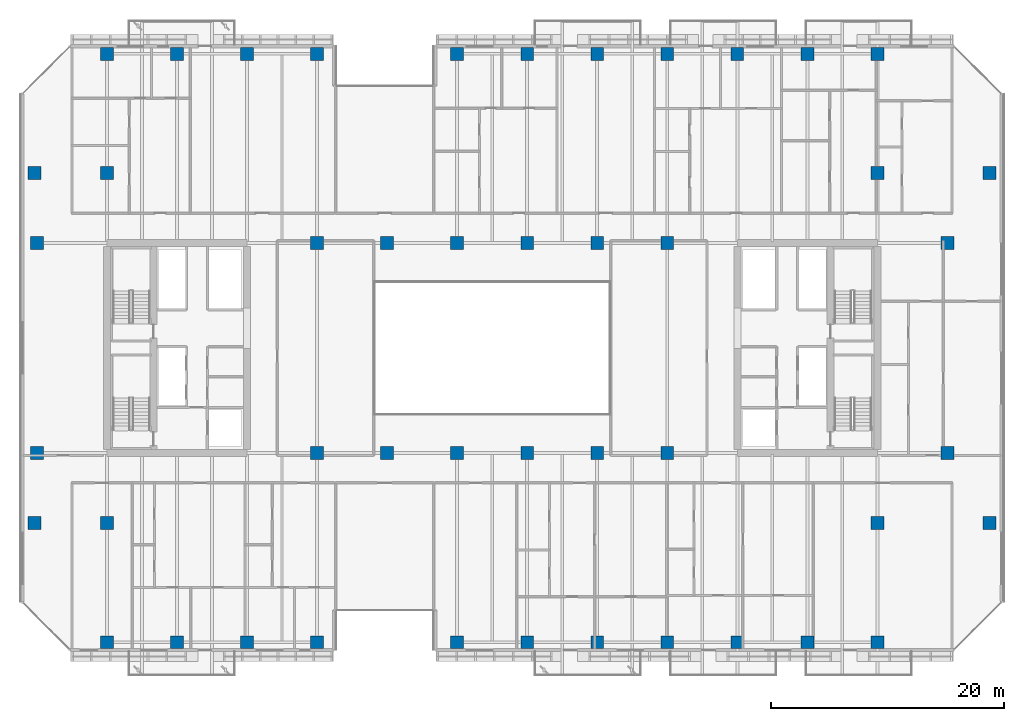
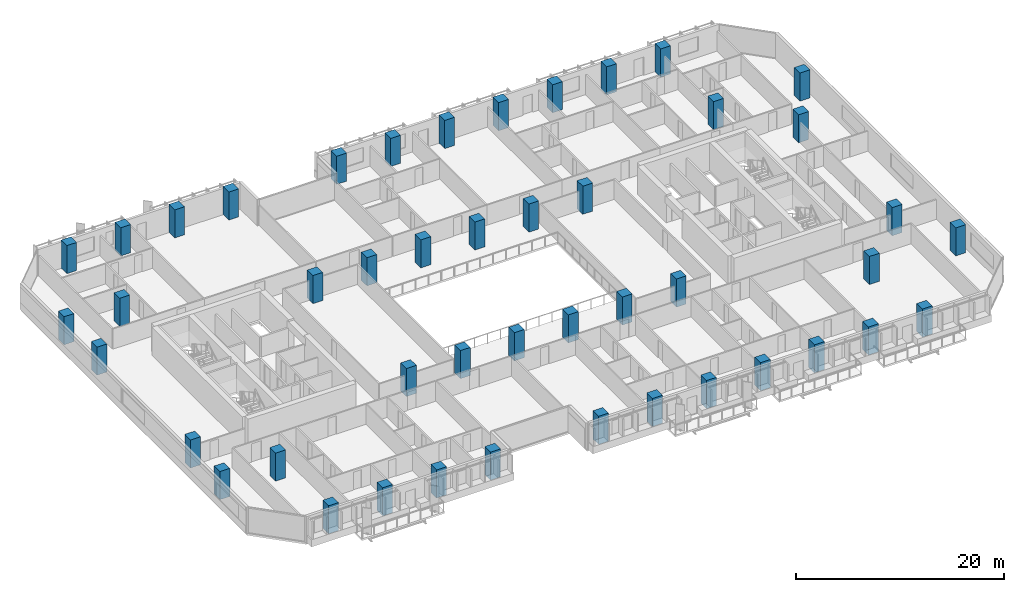
# One storey, part 1 of 34: 46 columns.
"""IFC4 building model written with IfcOpenShell, lengths in metres."""

import ifcopenshell
import ifcopenshell.guid

model = None  # the IFC model being written
_history = None  # IfcOwnerHistory: only IFC2X3 demands one
_inside = {}  # id of a spatial element -> (the spatial element, [elements in it])
_under = {}  # id of a project, library or spatial element -> (it, [spatial elements below it])
_declared = {}  # id of a project -> (the project, [libraries it declares])
_typed = {}  # id of a type object -> (the type object, [elements of that type])
_made_of = {}  # id of a material, layer set ... -> (it, [elements and type objects made of it])


def new_model(schema):
    """Start an empty IFC model of exactly this schema.

    Asked for "IFC4X3", IfcOpenShell would pick the latest addendum, in which some entities
    have other attributes; the version numbers below select the first issue.
    IFC2X3 requires an IfcOwnerHistory on every rooted entity: one is made here for all.
    """
    global model, _history
    if schema == "IFC4X3":
        model = ifcopenshell.file(schema_version=(4, 3, 0, 0))
    else:
        model = ifcopenshell.file(schema=schema)
    _inside.clear()
    _under.clear()
    _declared.clear()
    _typed.clear()
    _made_of.clear()
    _history = None
    if model.schema == "IFC2X3":
        org = make("IfcOrganization", Name="unknown")
        user = make(
            "IfcPersonAndOrganization",
            ThePerson=make("IfcPerson", FamilyName="unknown"),
            TheOrganization=org,
        )
        app = make(
            "IfcApplication",
            ApplicationDeveloper=org,
            Version="unknown",
            ApplicationFullName="unknown",
            ApplicationIdentifier="unknown",
        )
        _history = make(
            "IfcOwnerHistory",
            OwningUser=user,
            OwningApplication=app,
            ChangeAction="ADDED",
            CreationDate=0,
        )
    return model


def make(cls, **values):
    """One entity of the class cls with the attributes given. An attribute that is None is left unset."""
    return model.create_entity(
        cls, **{name: value for name, value in values.items() if value is not None}
    )


def rooted(cls, **values):
    """An entity with a GlobalId (a new one), such as an element, a storey or a relation."""
    return make(cls, GlobalId=ifcopenshell.guid.new(), OwnerHistory=_history, **values)


def si_unit(unit_type, name, prefix=None):
    """IfcSIUnit, for example si_unit("LENGTHUNIT", "METRE", prefix="MILLI")."""
    return make("IfcSIUnit", UnitType=unit_type, Prefix=prefix, Name=name)


def assignment(units):
    """IfcUnitAssignment: the units of a project."""
    return None if units is None else make("IfcUnitAssignment", Units=units)


def point(xyz):
    """IfcCartesianPoint."""
    return None if xyz is None else make("IfcCartesianPoint", Coordinates=xyz)


def direction(xyz):
    """IfcDirection."""
    return None if xyz is None else make("IfcDirection", DirectionRatios=xyz)


def frame(location, z_axis=None, x_axis=None):
    """IfcAxis2Placement3D, a coordinate frame: its origin and axes. An axis left out is left unset."""
    return make(
        "IfcAxis2Placement3D",
        Location=point(location),
        Axis=direction(z_axis),
        RefDirection=direction(x_axis),
    )


def frame_2d(location, x_axis=None):
    """IfcAxis2Placement2D, a coordinate frame in the plane: its origin and x axis."""
    return make(
        "IfcAxis2Placement2D", Location=point(location), RefDirection=direction(x_axis)
    )


def origin():
    """The frame at (0, 0, 0) with its axes left unset."""
    return frame((0.0, 0.0, 0.0))


def origin_2d():
    """The frame at (0, 0) in the plane with its x axis left unset."""
    return frame_2d((0.0, 0.0))


def place(relative_to, where):
    """IfcLocalPlacement: puts the frame where relative to a parent placement (None: the world)."""
    return make(
        "IfcLocalPlacement", PlacementRelTo=relative_to, RelativePlacement=where
    )


def context(
    kind, dimensions, precision=None, world=None, true_north=None, identifier=None
):
    """IfcGeometricRepresentationContext, for example the 3D "Model" context."""
    return make(
        "IfcGeometricRepresentationContext",
        ContextIdentifier=identifier,
        ContextType=kind,
        CoordinateSpaceDimension=dimensions,
        Precision=precision,
        WorldCoordinateSystem=world,
        TrueNorth=true_north,
    )


def subcontext(parent, identifier, kind, view, scale=None):
    """IfcGeometricRepresentationSubContext, for example "Body" below "Model"."""
    return make(
        "IfcGeometricRepresentationSubContext",
        ContextIdentifier=identifier,
        ContextType=kind,
        ParentContext=parent,
        TargetScale=scale,
        TargetView=view,
    )


def project(units=None, contexts=None):
    """IfcProject with its units and contexts."""
    return rooted(
        "IfcProject",
        Name="project",
        RepresentationContexts=contexts,
        UnitsInContext=assignment(units),
    )


def spatial(cls, under=None, at=None, **own):
    """A site, building, storey or space (cls), placed at a placement, below another one or the project."""
    s = rooted(cls, ObjectPlacement=at, **own)
    if under is not None:
        _under.setdefault(under.id(), (under, []))[1].append(s)
    return s


def profile(cls, at=None, kind="AREA", **sizes):
    """A parametric profile (cls). Its sizes go by their IFC names, for example OverallWidth=200.0."""
    return make(cls, ProfileType=kind, Position=at, **sizes)


def rectangle(**sizes):
    """IfcRectangleProfileDef."""
    return profile("IfcRectangleProfileDef", **sizes)


def extrude(swept, where, along, depth):
    """IfcExtrudedAreaSolid: the profile swept, set in the frame where, extruded along a direction by depth."""
    return make(
        "IfcExtrudedAreaSolid",
        SweptArea=swept,
        Position=where,
        ExtrudedDirection=direction(along),
        Depth=depth,
    )


def shape(context_of_items, identifier, shape_type, items):
    """IfcShapeRepresentation: the items that make up one representation, for example the "Body"."""
    return make(
        "IfcShapeRepresentation",
        ContextOfItems=context_of_items,
        RepresentationIdentifier=identifier,
        RepresentationType=shape_type,
        Items=items,
    )


def material(Name=None, Category=None):
    """IfcMaterial."""
    return make("IfcMaterial", Name=Name, Category=Category)


def material_profile(
    of_material, cross_section, Name=None, Category=None, Priority=None
):
    """IfcMaterialProfile: a cross section and its material."""
    return make(
        "IfcMaterialProfile",
        Name=Name,
        Material=of_material,
        Profile=cross_section,
        Priority=Priority,
        Category=Category,
    )


def profile_set(profiles, Name=None, composite=None):
    """IfcMaterialProfileSet."""
    return make(
        "IfcMaterialProfileSet",
        Name=Name,
        MaterialProfiles=profiles,
        CompositeProfile=composite,
    )


def made_of(thing, what):
    """Note that an element or type object is made of a material, layer set ...; save() writes the relation."""
    if what is not None:
        _made_of.setdefault(what.id(), (what, []))[1].append(thing)
    return thing


def type_object(cls, material=None, **own):
    """A type object (cls), such as IfcWallType, which elements share."""
    return made_of(rooted(cls, **own), material)


def element(
    cls,
    number,
    at=None,
    inside=None,
    cuts=None,
    type_object=None,
    material=None,
    context=None,
    identifier="Body",
    shape_type=None,
    held_by="IfcProductDefinitionShape",
    body=None,
    shapes=None,
    **own,
):
    """One element of the class cls, such as IfcWall. Its Tag is "e" and its number.

    at: its placement. inside: the storey or other place that contains it. cuts: it is an
    opening in that element (IfcRelVoidsElement). A single representation is given by context,
    identifier, shape_type and body (its items); several are given by shapes. held_by: the class
    of the entity that holds the representations. save() writes the other relations.
    """
    e = rooted(cls, Tag="e%d" % number, ObjectPlacement=at, **own)
    if body is not None:
        shapes = [shape(context, identifier, shape_type, body)]
    if shapes is not None:
        e.Representation = make(held_by, Representations=shapes)
    if inside is not None:
        _inside.setdefault(inside.id(), (inside, []))[1].append(e)
    if cuts is not None:
        rooted(
            "IfcRelVoidsElement", RelatingBuildingElement=cuts, RelatedOpeningElement=e
        )
    if type_object is not None:
        _typed.setdefault(type_object.id(), (type_object, []))[1].append(e)
    return made_of(e, material)


def aggregate(whole, parts):
    """IfcRelAggregates: a whole, such as a stair, and the parts it consists of."""
    return rooted("IfcRelAggregates", RelatingObject=whole, RelatedObjects=parts)


def save(model, path):
    """Write the relations noted so far, then the file.

    IfcRelAggregates (storeys below a building ...), IfcRelContainedInSpatialStructure (elements
    in a storey), IfcRelDefinesByType, IfcRelAssociatesMaterial and IfcRelDeclares: one each for
    every whole, place, type object, material and project.
    """
    for whole, parts in _under.values():
        aggregate(whole, parts)
    for where, things in _inside.values():
        rooted(
            "IfcRelContainedInSpatialStructure",
            RelatedElements=things,
            RelatingStructure=where,
        )
    for kind, things in _typed.values():
        rooted("IfcRelDefinesByType", RelatedObjects=things, RelatingType=kind)
    for what, things in _made_of.values():
        rooted("IfcRelAssociatesMaterial", RelatedObjects=things, RelatingMaterial=what)
    for by, libraries in _declared.values():
        rooted("IfcRelDeclares", RelatingContext=by, RelatedDefinitions=libraries)
    model.write(path)


model = new_model("IFC4")

# Units and contexts
model_context = context("Model", 3, precision=1e-05, world=origin(), true_north=direction((0.0, 1.0)))
body_context = subcontext(model_context, "Body", "Model", "MODEL_VIEW")
ifc_project = project(units=[si_unit("LENGTHUNIT", "METRE"), si_unit("AREAUNIT", "SQUARE_METRE"), si_unit("VOLUMEUNIT", "CUBIC_METRE"), si_unit("PLANEANGLEUNIT", "RADIAN"), si_unit("MASSUNIT", "GRAM", prefix="KILO")], contexts=[model_context])

# Site, building, storey
site_placement = place(None, origin())
site = spatial("IfcSite", under=ifc_project, at=site_placement, CompositionType="ELEMENT")
building_placement = place(site_placement, origin())
building = spatial("IfcBuilding", under=site, at=building_placement, Name="Tanjung Sevakor Pilgrim Tower", CompositionType="ELEMENT")
storey_placement = place(building_placement, frame((0.0, 0.0, 55.43994140625)))
storey = spatial("IfcBuildingStorey", under=building, at=storey_placement, Name="L15", CompositionType="ELEMENT", Elevation=55.43994140625)

# Columns
ifc_material = material(Name="Concrete C60/75", Category="concrete")
ifc_material_profile = material_profile(ifc_material, rectangle(XDim=1.10009765625, YDim=1.10009765625, at=origin_2d()))
ifc_profile_set = profile_set([ifc_material_profile], Name="Concrete C60/75")
column_type = type_object("IfcColumnType", Name="COL-C-T1100-RC_1100x1100", PredefinedType="COLUMN", material=ifc_profile_set)
for number, where, z_axis, x_axis, name in (
    (1, (18.0, 24.60009765625, 0.0), (0.0, 0.0, 1.0), (1.0, 0.0, 0.0), "L15 Column SPW-018-246"),
    (2, (18.0, 42.60009765625, 0.0), (0.0, 0.0, 1.0), (1.0, 0.0, 0.0), "L15 Column SPW-018-426"),
    (3, (42.0, 24.60009765625, 0.0), (0.0, 0.0, 1.0), (1.0, 0.0, 0.0), "L15 Column SPW-042-246"),
    (4, (42.0, 42.60009765625, 0.0), (0.0, 0.0, 1.0), (1.0, 0.0, 0.0), "L15 Column SPW-042-426"),
    (5, (48.0, 24.60009765625, 0.0), (0.0, 0.0, 1.0), (1.0, 0.0, 0.0), "L15 Column SPW-048-246"),
    (6, (48.0, 42.60009765625, 0.0), (0.0, 0.0, 1.0), (1.0, 0.0, 0.0), "L15 Column SPW-048-426"),
    (7, (54.0, 24.60009765625, 0.0), (0.0, 0.0, 1.0), (1.0, 0.0, 0.0), "L15 Column SPE-054-246"),
    (8, (54.0, 42.60009765625, 0.0), (0.0, 0.0, 1.0), (1.0, 0.0, 0.0), "L15 Column SPE-054-426"),
    (9, (60.0, 24.60009765625, 0.0), (0.0, 0.0, 1.0), (1.0, 0.0, 0.0), "L15 Column SPE-060-246"),
    (10, (60.0, 42.60009765625, 0.0), (0.0, 0.0, 1.0), (1.0, 0.0, 0.0), "L15 Column SPE-060-426"),
    (11, (66.0, 24.60009765625, 0.0), (0.0, 0.0, 1.0), (1.0, 0.0, 0.0), "L15 Column SPE-066-246"),
    (12, (66.0, 42.60009765625, 0.0), (0.0, 0.0, 1.0), (1.0, 0.0, 0.0), "L15 Column SPE-066-426"),
    (13, (72.0, 24.60009765625, 0.0), (0.0, 0.0, 1.0), (1.0, 0.0, 0.0), "L15 Column SPE-072-246"),
    (14, (72.0, 42.60009765625, 0.0), (0.0, 0.0, 1.0), (1.0, 0.0, 0.0), "L15 Column SPE-072-426"),
    (15, (96.0, 24.60009765625, 0.0), (0.0, 0.0, 1.0), (1.0, 0.0, 0.0), "L15 Column SPE-096-246"),
    (16, (96.0, 42.60009765625, 0.0), (0.0, 0.0, 1.0), (1.0, 0.0, 0.0), "L15 Column SPE-096-426"),
    (17, (17.800048828125, 18.60009765625, 0.0), (0.0, 0.0, 1.0), (1.0, 0.0, 0.0), "L15 Column TCE-0178-186"),
    (18, (17.800048828125, 48.60009765625, 0.0), (0.0, 0.0, 1.0), (1.0, 0.0, 0.0), "L15 Column TCE-0178-486"),
    (19, (24.0, 18.60009765625, 0.0), (0.0, 0.0, 1.0), (1.0, 0.0, 0.0), "L15 Column TCE-0240-186"),
    (20, (24.0, 48.60009765625, 0.0), (0.0, 0.0, 1.0), (1.0, 0.0, 0.0), "L15 Column TCE-0240-486"),
    (21, (90.0, 18.60009765625, 0.0), (0.0, 0.0, 1.0), (1.0, 0.0, 0.0), "L15 Column TCE-0900-186"),
    (22, (90.0, 48.60009765625, 0.0), (0.0, 0.0, 1.0), (1.0, 0.0, 0.0), "L15 Column TCE-0900-486"),
    (23, (99.60009765625, 18.60009765625, 0.0), (0.0, 0.0, 1.0), (1.0, 0.0, 0.0), "L15 Column TCE-0996-186"),
    (24, (99.60009765625, 48.60009765625, 0.0), (0.0, 0.0, 1.0), (1.0, 0.0, 0.0), "L15 Column TCE-0996-486"),
    (25, (24.0, 8.39990234375, 0.0), (0.0, 0.0, 1.0), (1.0, 0.0, 0.0), "L15 Column TC1-024-084"),
    (26, (24.0, 58.800048828125, 0.0), (0.0, 0.0, 1.0), (1.0, 0.0, 0.0), "L15 Column TC1-024-588"),
    (27, (30.0, 8.39990234375, 0.0), (0.0, 0.0, 1.0), (1.0, 0.0, 0.0), "L15 Column TC1-030-084"),
    (28, (30.0, 58.800048828125, 0.0), (0.0, 0.0, 1.0), (1.0, 0.0, 0.0), "L15 Column TC1-030-588"),
    (29, (36.0, 8.39990234375, 0.0), (0.0, 0.0, 1.0), (1.0, 0.0, 0.0), "L15 Column TC1-036-084"),
    (30, (36.0, 58.800048828125, 0.0), (0.0, 0.0, 1.0), (1.0, 0.0, 0.0), "L15 Column TC1-036-588"),
    (31, (42.0, 8.39990234375, 0.0), (0.0, 0.0, 1.0), (1.0, 0.0, 0.0), "L15 Column TC1-042-084"),
    (32, (42.0, 58.800048828125, 0.0), (0.0, 0.0, 1.0), (1.0, 0.0, 0.0), "L15 Column TC1-042-588"),
    (33, (54.0, 8.39990234375, 0.0), (0.0, 0.0, 1.0), (1.0, 0.0, 0.0), "L15 Column TC1-054-084"),
    (34, (54.0, 58.800048828125, 0.0), (0.0, 0.0, 1.0), (1.0, 0.0, 0.0), "L15 Column TC1-054-588"),
    (35, (60.0, 8.39990234375, 0.0), (0.0, 0.0, 1.0), (1.0, 0.0, 0.0), "L15 Column TC1-060-084"),
    (36, (60.0, 58.800048828125, 0.0), (0.0, 0.0, 1.0), (1.0, 0.0, 0.0), "L15 Column TC1-060-588"),
    (37, (66.0, 8.39990234375, 0.0), (0.0, 0.0, 1.0), (1.0, 0.0, 0.0), "L15 Column TC1-066-084"),
    (38, (66.0, 58.800048828125, 0.0), (0.0, 0.0, 1.0), (1.0, 0.0, 0.0), "L15 Column TC1-066-588"),
    (39, (72.0, 8.39990234375, 0.0), (0.0, 0.0, 1.0), (1.0, 0.0, 0.0), "L15 Column TC1-072-084"),
    (40, (72.0, 58.800048828125, 0.0), (0.0, 0.0, 1.0), (1.0, 0.0, 0.0), "L15 Column TC1-072-588"),
    (41, (78.0, 8.39990234375, 0.0), (0.0, 0.0, 1.0), (1.0, 0.0, 0.0), "L15 Column TC1-078-084"),
    (42, (78.0, 58.800048828125, 0.0), (0.0, 0.0, 1.0), (1.0, 0.0, 0.0), "L15 Column TC1-078-588"),
    (43, (84.0, 8.39990234375, 0.0), (0.0, 0.0, 1.0), (1.0, 0.0, 0.0), "L15 Column TC1-084-084"),
    (44, (84.0, 58.800048828125, 0.0), (0.0, 0.0, 1.0), (1.0, 0.0, 0.0), "L15 Column TC1-084-588"),
    (45, (90.0, 8.39990234375, 0.0), (0.0, 0.0, 1.0), (1.0, 0.0, 0.0), "L15 Column TC1-090-084"),
    (46, (90.0, 58.800048828125, 0.0), (0.0, 0.0, 1.0), (1.0, 0.0, 0.0), "L15 Column TC1-090-588"),
):
    element("IfcColumn", number, at=place(storey_placement, frame(where, z_axis=z_axis, x_axis=x_axis)), inside=storey, type_object=column_type, Name=name, PredefinedType="COLUMN", context=body_context, shape_type="SweptSolid", body=[
        extrude(rectangle(XDim=1.10009765625, YDim=1.10009765625, at=origin_2d()), origin(), (0.0, 0.0, 1.0), 3.300048828125),
    ])

save(model, "model.ifc")
